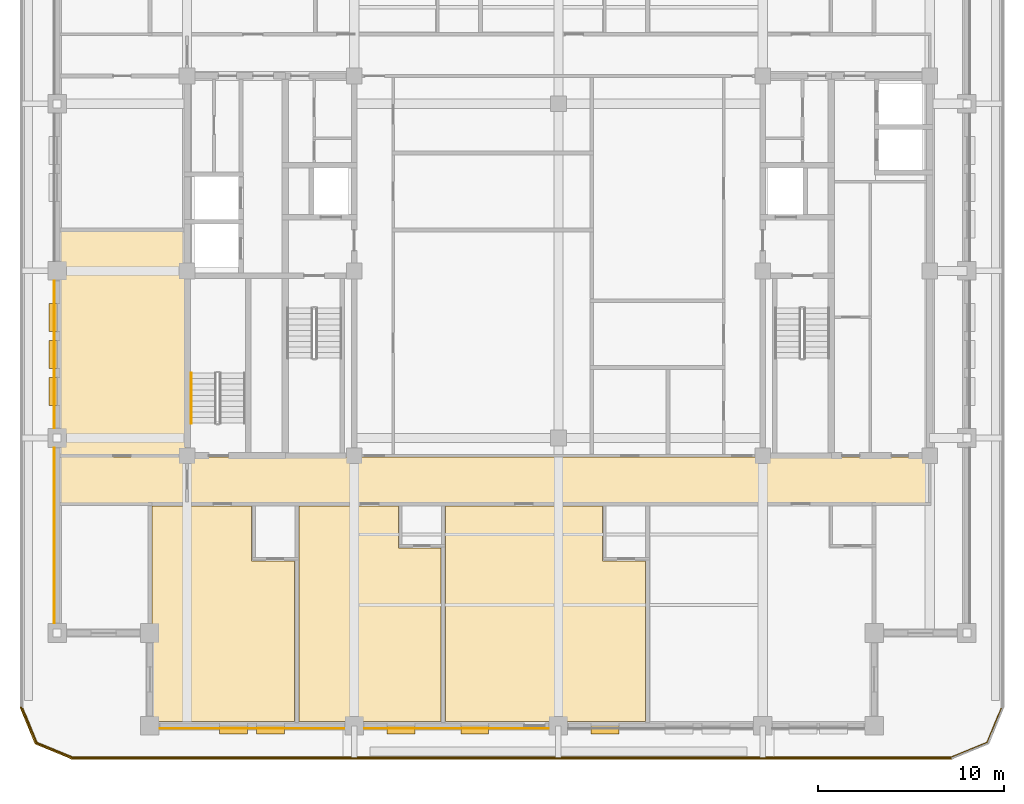
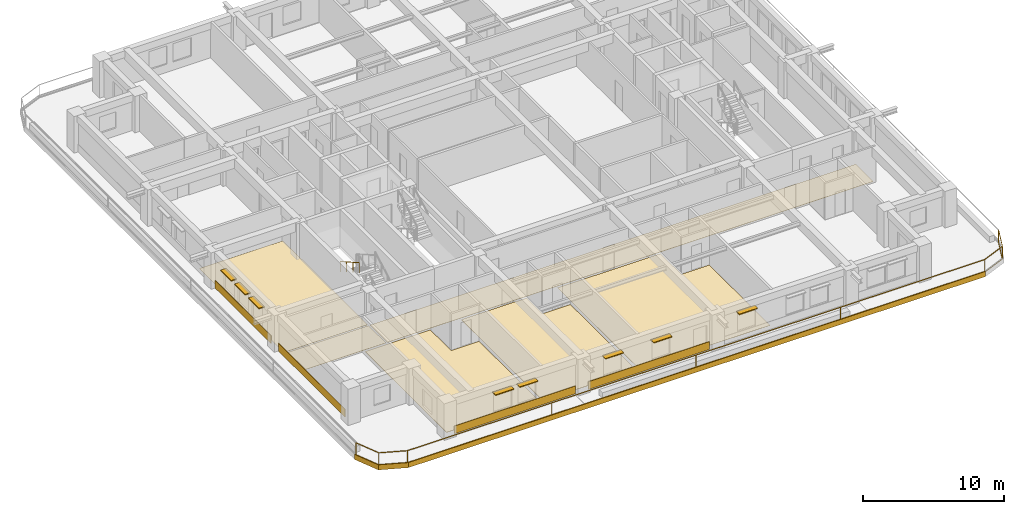
# One storey, part 8 of 14: 13 coverings, 8 shading devices, 2 railings.
"""IFC4 building model written with IfcOpenShell, lengths in metres."""

from ifc_helpers import new_model, si_unit, direction, frame, frame_2d, origin, origin_2d, place, context, subcontext, project, spatial, polyline, rectangle, outline, extrude, material, layer, layer_set, type_object, element, save


model = new_model("IFC4")

# Units and contexts
model_context = context("Model", 3, precision=1e-05, world=origin(), true_north=direction((0.0, 1.0)))
body_context = subcontext(model_context, "Body", "Model", "MODEL_VIEW")
ifc_project = project(units=[si_unit("LENGTHUNIT", "METRE"), si_unit("AREAUNIT", "SQUARE_METRE"), si_unit("VOLUMEUNIT", "CUBIC_METRE"), si_unit("PLANEANGLEUNIT", "RADIAN"), si_unit("MASSUNIT", "GRAM", prefix="KILO")], contexts=[model_context])

# Site, building, storey
site_placement = place(None, origin())
site = spatial("IfcSite", under=ifc_project, at=site_placement, CompositionType="ELEMENT")
building_placement = place(site_placement, origin())
building = spatial("IfcBuilding", under=site, at=building_placement, Name="Zulmaris Gate Convention Tower", CompositionType="ELEMENT")
storey_placement = place(building_placement, frame((0.0, 0.0, 205.06005859375)))
storey = spatial("IfcBuildingStorey", under=building, at=storey_placement, Name="L53", CompositionType="ELEMENT", Elevation=205.06005859375)

# Coverings
ifc_material_1 = material(Name="Precast concrete C40/50", Category="concrete")
ifc_layer_1 = layer(ifc_material_1, 0.0400390625, Name="Precast concrete C40/50")
ifc_layer_set_1 = layer_set([ifc_layer_1], Name="Precast concrete C40/50")
covering_type_1 = type_object("IfcCoveringType", Name="CLAD-SPANDREL-PRECAST", PredefinedType="CLADDING", material=ifc_layer_set_1)
for number, where, z_axis, x_axis, name in (
    (1, (-21.469970703125, -24.64990234375, 0.0), (0.0, 0.0, 1.0), (1.0, 0.0, 0.0), "CLD-L53-S-0_0"),
    (2, (-10.469970703125, -24.64990234375, 0.0), (0.0, 0.0, 1.0), (1.0, 0.0, 0.0), "CLD-L53-S-1_0"),
):
    element("IfcCovering", number, at=place(storey_placement, frame(where, z_axis=z_axis, x_axis=x_axis)), inside=storey, type_object=covering_type_1, Name=name, PredefinedType="CLADDING", context=body_context, shape_type="SweptSolid", body=[
        extrude(rectangle(XDim=9.93994140625, YDim=0.0400390625, at=frame_2d((4.969970703125, 0.0))), origin(), (0.0, 0.0, 1.0), 0.679931640625),
    ])
covering_1_placement = place(storey_placement, frame((-27.14990234375, -9.530029296875, 0.0), z_axis=(0.0, 0.0, 1.0), x_axis=(0.0, -1.0, 0.0)))
element("IfcCovering", 3, at=covering_1_placement, inside=storey, type_object=covering_type_1, Name="CLD-L53-W-0_0", PredefinedType="CLADDING", context=body_context, shape_type="SweptSolid", body=[
    extrude(rectangle(XDim=9.43994140625, YDim=0.0400390625, at=frame_2d((4.719970703125, 0.0))), origin(), (0.0, 0.0, 1.0), 0.679931640625),
])
covering_2_placement = place(storey_placement, frame((-27.14990234375, -0.530029296875, 0.0), z_axis=(0.0, 0.0, 1.0), x_axis=(0.0, -1.0, 0.0)))
element("IfcCovering", 4, at=covering_2_placement, inside=storey, type_object=covering_type_1, Name="CLD-L53-W-1_0", PredefinedType="CLADDING", context=body_context, shape_type="SweptSolid", body=[
    extrude(rectangle(XDim=7.93994140625, YDim=0.0400390625, at=frame_2d((3.969970703125, 0.0))), origin(), (0.0, 0.0, 1.0), 0.679931640625),
])
ifc_material_2 = material(Name="White Glazed Architectural Precast Concrete C40/50", Category="concrete")
ifc_layer_2 = layer(ifc_material_2, 0.080078125, Name="White Glazed Architectural Precast Concrete C40/50")
ifc_layer_set_2 = layer_set([ifc_layer_2], Name="White Glazed Architectural Precast Concrete C40/50")
covering_type_2 = type_object("IfcCoveringType", Name="CLAD-TRAY-FASCIA", PredefinedType="CLADDING", material=ifc_layer_set_2)
covering_3_placement = place(storey_placement, frame((-28.962890625, -23.484619140625, -0.2900390625), z_axis=(0.0, 0.0, 1.0), x_axis=(0.382656984709, -0.923890487046, 0.0)))
element("IfcCovering", 5, at=covering_3_placement, inside=storey, type_object=covering_type_2, Name="FSC-L53-TR-00", PredefinedType="CLADDING", context=body_context, shape_type="SweptSolid", body=[
    extrude(rectangle(XDim=2.14306640625, YDim=0.080078125, at=frame_2d((1.071533203125, 0.0))), origin(), (0.0, 0.0, 1.0), 0.440185546875),
])
covering_4_placement = place(storey_placement, frame((-28.16455078125, -25.44287109375, -0.2900390625), z_axis=(0.0, 0.0, 1.0), x_axis=(0.923873803533, -0.382697263049, 0.0)))
element("IfcCovering", 6, at=covering_4_placement, inside=storey, type_object=covering_type_2, Name="FSC-L53-TR-01", PredefinedType="CLADDING", context=body_context, shape_type="SweptSolid", body=[
    extrude(rectangle(XDim=2.142822265625, YDim=0.080078125, at=frame_2d((1.0712890625, 0.0))), origin(), (0.0, 0.0, 1.0), 0.440185546875),
])
covering_5_placement = place(storey_placement, frame((-26.199951171875, -26.260009765625, -0.2900390625), z_axis=(0.0, 0.0, 1.0), x_axis=(1.0, 0.0, 0.0)))
element("IfcCovering", 7, at=covering_5_placement, inside=storey, type_object=covering_type_2, Name="FSC-L53-TR-02", PredefinedType="CLADDING", context=body_context, shape_type="SweptSolid", body=[
    extrude(rectangle(XDim=47.39990234375, YDim=0.080078125, at=frame_2d((23.699951171875, 0.0))), origin(), (0.0, 0.0, 1.0), 0.440185546875),
])
ifc_material_3 = material(Name="Woven Acoustic Wool Carpet Tile")
ifc_layer_3 = layer(ifc_material_3, 0.02001953125, Name="Woven Acoustic Wool Carpet Tile")
ifc_layer_set_3 = layer_set([ifc_layer_3], Name="Woven Acoustic Wool Carpet Tile")
covering_type_3 = type_object("IfcCoveringType", Name="FLR-CARPET-12", PredefinedType="FLOORING", material=ifc_layer_set_3)
covering_6_placement = place(storey_placement, origin())
element("IfcCovering", 8, at=covering_6_placement, inside=storey, type_object=covering_type_3, Name="FLR-L53-R33", PredefinedType="FLOORING", context=body_context, shape_type="SweptSolid", body=[
    extrude(outline(polyline([(-19.93994140625, -12.489990234375), (19.93994140625, -12.489990234375), (19.93994140625, -10.010009765625), (-19.93994140625, -10.010009765625), (-19.93994140625, -12.489990234375)])), origin(), (0.0, 0.0, 1.0), 0.02001953125),
])
covering_7_placement = place(storey_placement, origin())
element("IfcCovering", 9, at=covering_7_placement, inside=storey, type_object=covering_type_3, Name="FLR-L53-R59", PredefinedType="FLOORING", context=body_context, shape_type="SweptSolid", body=[
    extrude(outline(polyline([(-26.93994140625, -12.489990234375), (-20.06005859375, -12.489990234375), (-20.06005859375, -10.010009765625), (-26.93994140625, -10.010009765625), (-26.93994140625, -12.489990234375)])), origin(), (0.0, 0.0, 1.0), 0.02001953125),
])
covering_8_placement = place(storey_placement, origin())
element("IfcCovering", 10, at=covering_8_placement, inside=storey, type_object=covering_type_3, Name="FLR-L53-R61", PredefinedType="FLOORING", context=body_context, shape_type="SweptSolid", body=[
    extrude(outline(polyline([(-26.93994140625, -9.889892578125), (-20.06005859375, -9.889892578125), (-20.06005859375, 2.139892578125), (-26.93994140625, 2.139892578125), (-26.93994140625, -9.889892578125)])), origin(), (0.0, 0.0, 1.0), 0.02001953125),
])
ifc_material_4 = material(Name="Engineered Teak Parquet Flooring")
ifc_layer_4 = layer(ifc_material_4, 0.02001953125, Name="Engineered Teak Parquet Flooring")
ifc_layer_set_4 = layer_set([ifc_layer_4], Name="Engineered Teak Parquet Flooring")
covering_type_4 = type_object("IfcCoveringType", Name="FLR-TIMBER-18", PredefinedType="FLOORING", material=ifc_layer_set_4)
covering_9_placement = place(storey_placement, origin())
element("IfcCovering", 11, at=covering_9_placement, inside=storey, type_object=covering_type_4, Name="FLR-L53-R44", PredefinedType="FLOORING", context=body_context, shape_type="SweptSolid", body=[
    extrude(outline(polyline([(-21.8798828125, -24.260009765625), (-14.219970703125, -24.260009765625), (-14.219970703125, -15.6201171875), (-16.52001953125, -15.6201171875), (-16.52001953125, -12.669921875), (-21.8798828125, -12.669921875), (-21.8798828125, -24.260009765625)])), origin(), (0.0, 0.0, 1.0), 0.02001953125),
])
covering_10_placement = place(storey_placement, origin())
element("IfcCovering", 12, at=covering_10_placement, inside=storey, type_object=covering_type_4, Name="FLR-L53-R46", PredefinedType="FLOORING", context=body_context, shape_type="SweptSolid", body=[
    extrude(outline(polyline([(-13.97998046875, -24.260009765625), (-6.320068359375, -24.260009765625), (-6.320068359375, -14.919921875), (-8.6201171875, -14.919921875), (-8.6201171875, -12.669921875), (-13.97998046875, -12.669921875), (-13.97998046875, -24.260009765625)])), origin(), (0.0, 0.0, 1.0), 0.02001953125),
])
covering_11_placement = place(storey_placement, origin())
element("IfcCovering", 13, at=covering_11_placement, inside=storey, type_object=covering_type_4, Name="FLR-L53-R48", PredefinedType="FLOORING", context=body_context, shape_type="SweptSolid", body=[
    extrude(outline(polyline([(-6.080078125, -24.260009765625), (4.679931640625, -24.260009765625), (4.679931640625, -15.6201171875), (2.3798828125, -15.6201171875), (2.3798828125, -12.669921875), (-6.080078125, -12.669921875), (-6.080078125, -24.260009765625)])), origin(), (0.0, 0.0, 1.0), 0.02001953125),
])

# Railings
ifc_material_5 = material(Name="Laminated Glass and Stainless Steel", Category="steel")
railing_type_1 = type_object("IfcRailingType", Name="RL-BALC-1150", PredefinedType="BALUSTRADE", material=ifc_material_5)
railing_1_placement = place(storey_placement, frame((-28.8798828125, -23.5, -0.010009765625)))
element("IfcRailing", 14, at=railing_1_placement, inside=storey, type_object=railing_type_1, Name="RL-L53-BALC-S", PredefinedType="BALUSTRADE", context=body_context, shape_type="SweptSolid", body=[
    extrude(rectangle(XDim=0.048095703125, YDim=0.048095703125, at=origin_2d()), frame((0.0, 0.0, 1.1259765625), z_axis=(0.382670664694, -0.92388482095, 0.0), x_axis=(0.92388482095, 0.382670664694, 0.0)), (0.0, 0.0, 1.0), 2.051025390625),
    extrude(rectangle(XDim=0.048095703125, YDim=0.048095703125, at=origin_2d()), frame((0.0, 0.0, 0.02392578125), z_axis=(0.382670664694, -0.92388482095, 0.0), x_axis=(0.92388482095, 0.382670664694, 0.0)), (0.0, 0.0, 1.0), 2.051025390625),
    extrude(rectangle(XDim=0.048095703125, YDim=0.048095703125, at=origin_2d()), frame((0.784912109375, -1.89501953125, 1.1259765625), z_axis=(0.92388482095, -0.382670664694, 0.0), x_axis=(0.382670664694, 0.92388482095, 0.0)), (0.0, 0.0, 1.0), 2.051025390625),
    extrude(rectangle(XDim=0.048095703125, YDim=0.048095703125, at=origin_2d()), frame((0.784912109375, -1.89501953125, 0.02392578125), z_axis=(0.92388482095, -0.382670664694, 0.0), x_axis=(0.382670664694, 0.92388482095, 0.0)), (0.0, 0.0, 1.0), 2.051025390625),
    extrude(rectangle(XDim=0.048095703125, YDim=0.048095703125, at=origin_2d()), frame((2.679931640625, -2.679931640625, 1.1259765625), z_axis=(1.0, 0.0, 0.0), x_axis=(0.0, 1.0, 0.0)), (0.0, 0.0, 1.0), 47.39990234375),
    extrude(rectangle(XDim=0.048095703125, YDim=0.048095703125, at=origin_2d()), frame((2.679931640625, -2.679931640625, 0.02392578125), z_axis=(1.0, 0.0, 0.0), x_axis=(0.0, 1.0, 0.0)), (0.0, 0.0, 1.0), 47.39990234375),
    extrude(rectangle(XDim=0.048095703125, YDim=0.048095703125, at=origin_2d()), frame((50.079833984375, -2.679931640625, 1.1259765625), z_axis=(0.92388482095, 0.382670664694, 0.0), x_axis=(-0.382670664694, 0.92388482095, 0.0)), (0.0, 0.0, 1.0), 2.051025390625),
    extrude(rectangle(XDim=0.048095703125, YDim=0.048095703125, at=origin_2d()), frame((50.079833984375, -2.679931640625, 0.02392578125), z_axis=(0.92388482095, 0.382670664694, 0.0), x_axis=(-0.382670664694, 0.92388482095, 0.0)), (0.0, 0.0, 1.0), 2.051025390625),
    extrude(rectangle(XDim=0.048095703125, YDim=0.048095703125, at=origin_2d()), frame((51.974853515625, -1.89501953125, 1.1259765625), z_axis=(0.382670664694, 0.92388482095, 0.0), x_axis=(-0.92388482095, 0.382670664694, 0.0)), (0.0, 0.0, 1.0), 2.051025390625),
    extrude(rectangle(XDim=0.048095703125, YDim=0.048095703125, at=origin_2d()), frame((51.974853515625, -1.89501953125, 0.02392578125), z_axis=(0.382670664694, 0.92388482095, 0.0), x_axis=(-0.92388482095, 0.382670664694, 0.0)), (0.0, 0.0, 1.0), 2.051025390625),
    extrude(rectangle(XDim=0.0419921875, YDim=0.0419921875, at=origin_2d()), origin(), (0.0, 0.0, 1.0), 1.101806640625),
    extrude(rectangle(XDim=0.0419921875, YDim=0.0419921875, at=origin_2d()), frame((0.784912109375, -1.89501953125, 0.0)), (0.0, 0.0, 1.0), 1.101806640625),
    extrude(rectangle(XDim=0.0419921875, YDim=0.0419921875, at=origin_2d()), frame((2.679931640625, -2.679931640625, 0.0)), (0.0, 0.0, 1.0), 1.101806640625),
    extrude(rectangle(XDim=0.0419921875, YDim=0.0419921875, at=origin_2d()), frame((14.52978515625, -2.679931640625, 0.0)), (0.0, 0.0, 1.0), 1.101806640625),
    extrude(rectangle(XDim=0.0419921875, YDim=0.0419921875, at=origin_2d()), frame((26.3798828125, -2.679931640625, 0.0)), (0.0, 0.0, 1.0), 1.101806640625),
    extrude(rectangle(XDim=0.0419921875, YDim=0.0419921875, at=origin_2d()), frame((38.22998046875, -2.679931640625, 0.0)), (0.0, 0.0, 1.0), 1.101806640625),
    extrude(rectangle(XDim=0.0419921875, YDim=0.0419921875, at=origin_2d()), frame((50.079833984375, -2.679931640625, 0.0)), (0.0, 0.0, 1.0), 1.101806640625),
    extrude(rectangle(XDim=0.0419921875, YDim=0.0419921875, at=origin_2d()), frame((51.974853515625, -1.89501953125, 0.0)), (0.0, 0.0, 1.0), 1.101806640625),
    extrude(rectangle(XDim=0.0419921875, YDim=0.0419921875, at=origin_2d()), frame((52.759765625, 0.0, 0.0)), (0.0, 0.0, 1.0), 1.101806640625),
])
ifc_material_6 = material(Name="Brushed Stainless Steel", Category="steel")
railing_type_2 = type_object("IfcRailingType", Name="RL-STH-900", PredefinedType="HANDRAIL", material=ifc_material_6)
railing_2_placement = place(storey_placement, frame((-19.77001953125, -5.5, 1.869873046875)))
element("IfcRailing", 15, at=railing_2_placement, inside=storey, type_object=railing_type_2, Name="L53 ST-3 stair handrail 2", PredefinedType="HANDRAIL", context=body_context, shape_type="SweptSolid", body=[
    extrude(rectangle(XDim=0.048095703125, YDim=0.048095703125, at=origin_2d()), frame((0.0, 0.0, 0.8759765625), z_axis=(0.0, -0.870014312096, 0.49302646658), x_axis=(1.0, 0.0, 0.0)), (0.0, 0.0, 1.0), 3.103271484375),
    extrude(rectangle(XDim=0.0419921875, YDim=0.0419921875, at=origin_2d()), origin(), (0.0, 0.0, 1.0), 0.851806640625),
    extrude(rectangle(XDim=0.0419921875, YDim=0.0419921875, at=origin_2d()), frame((0.0, -0.89990234375, 0.510009765625)), (0.0, 0.0, 1.0), 0.851806640625),
    extrude(rectangle(XDim=0.0419921875, YDim=0.0419921875, at=origin_2d()), frame((0.0, -1.800048828125, 1.02001953125)), (0.0, 0.0, 1.0), 0.851806640625),
    extrude(rectangle(XDim=0.0419921875, YDim=0.0419921875, at=origin_2d()), frame((0.0, -2.699951171875, 1.530029296875)), (0.0, 0.0, 1.0), 0.851806640625),
])

# Shading devices
ifc_material_7 = material(Name="Glazed Ceramic Terracotta", Category="masonry")
ifc_layer_5 = layer(ifc_material_7, 0.070068359375, Name="Glazed Ceramic Terracotta")
ifc_layer_set_5 = layer_set([ifc_layer_5], Name="Glazed Ceramic Terracotta")
shading_device_type = type_object("IfcShadingDeviceType", Name="SHD-SUNSHADE-TC", PredefinedType="AWNING", material=ifc_layer_set_5)
for number, where, z_axis, x_axis, name in (
    (16, (-18.243896484375, -24.719970703125, 2.35009765625), (0.0, 0.0, 1.0), (1.0, 0.0, 0.0), "SHD-EW-L53-S-0_0-2"),
    (17, (-16.256103515625, -24.719970703125, 2.35009765625), (0.0, 0.0, 1.0), (1.0, 0.0, 0.0), "SHD-EW-L53-S-0_0-3"),
    (18, (-9.23193359375, -24.719970703125, 2.35009765625), (0.0, 0.0, 1.0), (1.0, 0.0, 0.0), "SHD-EW-L53-S-1_0-1"),
    (19, (-5.256103515625, -24.719970703125, 2.35009765625), (0.0, 0.0, 1.0), (1.0, 0.0, 0.0), "SHD-EW-L53-S-1_0-3"),
    (20, (1.76806640625, -24.719970703125, 2.35009765625), (0.0, 0.0, 1.0), (1.0, 0.0, 0.0), "SHD-EW-L53-S-2_0-1"),
    (21, (-27.219970703125, -1.764892578125, 2.35009765625), (0.0, 0.0, 1.0), (0.0, -1.0, 0.0), "SHD-EW-L53-W-1_0-1"),
    (22, (-27.219970703125, -3.75, 2.35009765625), (0.0, 0.0, 1.0), (0.0, -1.0, 0.0), "SHD-EW-L53-W-1_0-2"),
    (23, (-27.219970703125, -5.735107421875, 2.35009765625), (0.0, 0.0, 1.0), (0.0, -1.0, 0.0), "SHD-EW-L53-W-1_0-3"),
):
    element("IfcShadingDevice", number, at=place(storey_placement, frame(where, z_axis=z_axis, x_axis=x_axis)), inside=storey, type_object=shading_device_type, Name=name, PredefinedType="AWNING", context=body_context, shape_type="SweptSolid", body=[
        extrude(rectangle(XDim=1.5, YDim=0.43994140625, at=frame_2d((0.75, 0.0))), origin(), (0.0, 0.0, 1.0), 0.06982421875),
    ])

save(model, "model.ifc")
